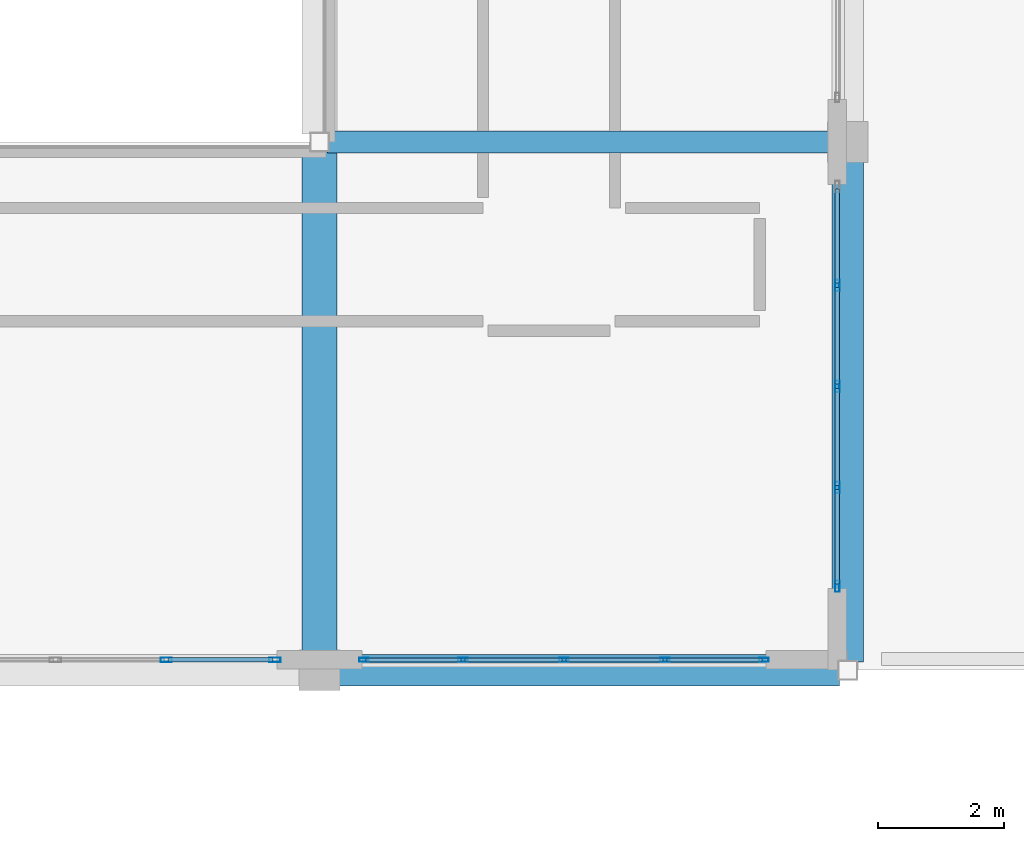
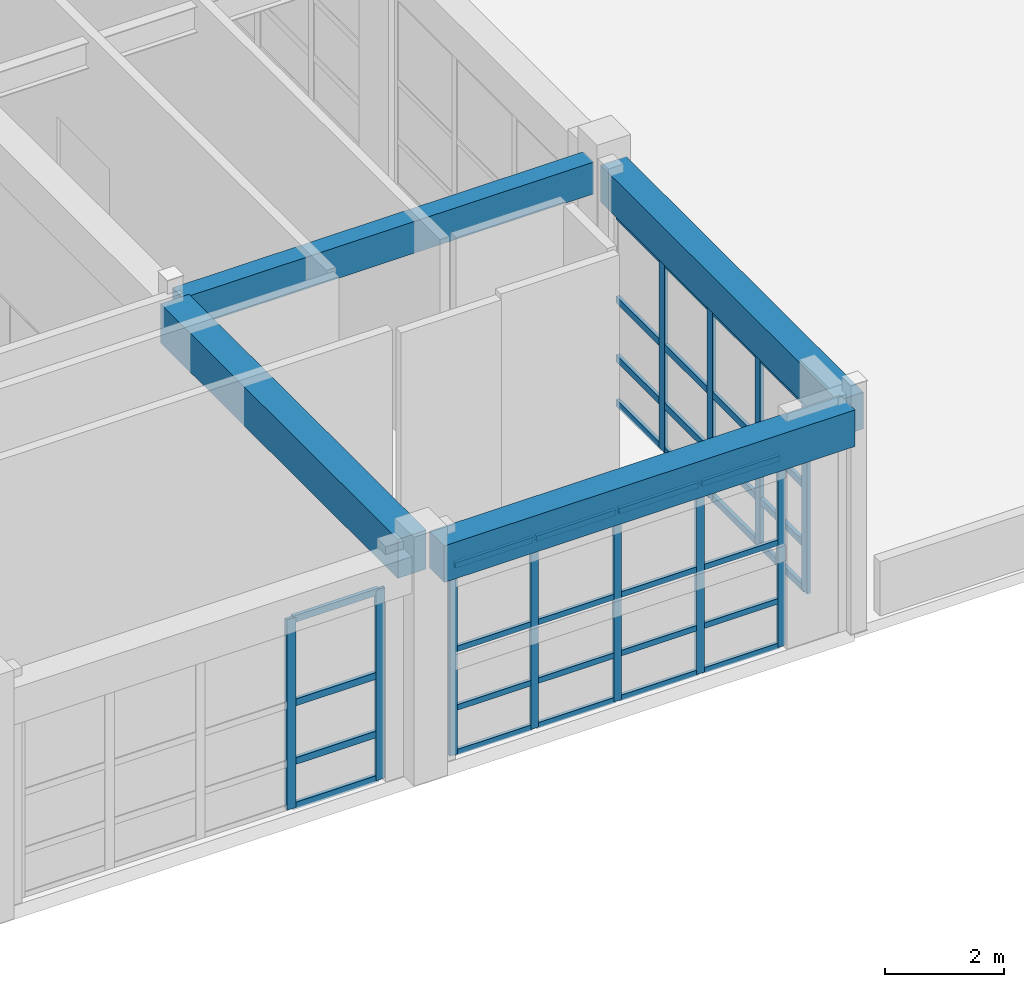
# One storey, part 39 of 78: 47 members, 4 beams, 3 elements without a shape of their own.
"""IFC4 building model written with IfcOpenShell, lengths in metres."""

from ifc_helpers import new_model, si_unit, direction, frame, origin, origin_2d, place, context, subcontext, project, spatial, rectangle, hollow_rectangle, extrude, material, layer, layer_set, material_profile, profile_set, type_object, element, aggregate, save


model = new_model("IFC4")

# Units and contexts
model_context = context("Model", 3, precision=1e-05, world=origin(), true_north=direction((0.0, 1.0)))
body_context = subcontext(model_context, "Body", "Model", "MODEL_VIEW")
ifc_project = project(units=[si_unit("LENGTHUNIT", "METRE"), si_unit("AREAUNIT", "SQUARE_METRE"), si_unit("VOLUMEUNIT", "CUBIC_METRE"), si_unit("PLANEANGLEUNIT", "RADIAN"), si_unit("MASSUNIT", "GRAM", prefix="KILO")], contexts=[model_context])

# Site, building, storey
site_placement = place(None, origin())
site = spatial("IfcSite", under=ifc_project, at=site_placement, CompositionType="ELEMENT")
building_placement = place(site_placement, origin())
building = spatial("IfcBuilding", under=site, at=building_placement, Name="Quendrovan Civic Courthouse", CompositionType="ELEMENT")
storey_placement = place(building_placement, frame((0.0, 0.0, 10.199951171875)))
storey = spatial("IfcBuildingStorey", under=building, at=storey_placement, Name="L03", CompositionType="ELEMENT", Elevation=10.199951171875)

# Beams
ifc_material_1 = material(Name="Concrete C40/50", Category="concrete")
ifc_material_profile_1 = material_profile(ifc_material_1, rectangle(XDim=0.35009765625, YDim=0.64990234375, at=origin_2d()), Name="RC-BM-350x650")
ifc_profile_set_1 = profile_set([ifc_material_profile_1], Name="Concrete C40/50")
beam_type_1 = type_object("IfcBeamType", Name="BM-RC650B", PredefinedType="BEAM", material=ifc_profile_set_1)
beam_1_placement = place(storey_placement, frame((84.1298828125, 73.199951171875, 4.3349609375), z_axis=(1.0, 0.0, 0.0), x_axis=(0.0, 1.0, 0.0)))
element("IfcBeam", 1, at=beam_1_placement, inside=storey, type_object=beam_type_1, Name="L03 Girder X0755", PredefinedType="BEAM", context=body_context, shape_type="SweptSolid", body=[
    extrude(rectangle(XDim=0.35009765625, YDim=0.64990234375, at=origin_2d()), origin(), (0.0, 0.0, 1.0), 7.965087890625),
])
ifc_material_profile_2 = material_profile(ifc_material_1, rectangle(XDim=0.5, YDim=0.75, at=origin_2d()), Name="RC-BM-500x750")
ifc_profile_set_2 = profile_set([ifc_material_profile_2], Name="Concrete C40/50")
beam_type_2 = type_object("IfcBeamType", Name="BM-RC750", PredefinedType="SPANDREL", material=ifc_profile_set_2)
for number, where, z_axis, x_axis, name in (
    (2, (84.304931640625, 64.800048828125, 4.28515625), (1.0, 0.0, 0.0), (0.0, 1.0, 0.0), "L03 Girder X0751"),
    (3, (92.39990234375, 64.929931640625, 4.28515625), (0.0, 1.0, 0.0), (-1.0, 0.0, 0.0), "L03 Girder Y0855"),
):
    element("IfcBeam", number, at=place(storey_placement, frame(where, z_axis=z_axis, x_axis=x_axis)), inside=storey, type_object=beam_type_2, Name=name, PredefinedType="SPANDREL", context=body_context, shape_type="SweptSolid", body=[
        extrude(rectangle(XDim=0.5, YDim=0.75, at=origin_2d()), origin(), (0.0, 0.0, 1.0), 7.965087890625),
    ])
ifc_material_profile_3 = material_profile(ifc_material_1, rectangle(XDim=0.550048828125, YDim=0.800048828125, at=origin_2d()), Name="RC-BM-550x800")
ifc_profile_set_3 = profile_set([ifc_material_profile_3], Name="Concrete C40/50")
beam_type_3 = type_object("IfcBeamType", Name="BM-RC800", PredefinedType="BEAM", material=ifc_profile_set_3)
beam_2_placement = place(storey_placement, frame((84.0, 65.10498046875, 4.260009765625), z_axis=(0.0, 1.0, 0.0), x_axis=(-1.0, 0.0, 0.0)))
element("IfcBeam", 4, at=beam_2_placement, inside=storey, type_object=beam_type_3, Name="L03 Girder Y0850", PredefinedType="BEAM", context=body_context, shape_type="SweptSolid", body=[
    extrude(rectangle(XDim=0.550048828125, YDim=0.800048828125, at=origin_2d()), origin(), (0.0, 0.0, 1.0), 7.965087890625),
])

# Curtain wall, members
ifc_material_2 = material(Name="Bronze anodised aluminium and low-E glass", Category="aluminium")
ifc_layer_1 = layer(ifc_material_2, 0.179931640625, Name="Bronze anodised aluminium and low-E glass")
ifc_layer_set_1 = layer_set([ifc_layer_1], Name="Bronze anodised aluminium and low-E glass")
curtain_wall_type_1 = type_object("IfcCurtainWallType", Name="CW-U64x39", PredefinedType="USERDEFINED", material=ifc_layer_set_1)
curtain_wall_1_placement = place(storey_placement, origin())
curtain_wall_1 = element("IfcCurtainWall", 5, at=curtain_wall_1_placement, inside=storey, type_object=curtain_wall_type_1, Name="L03 Unitised Hurricane Curtain Wall CW-130", ObjectType="UNITISED CURTAIN WALL", PredefinedType="USERDEFINED")
ifc_material_3 = material(Name="Bronze anodised aluminium", Category="aluminium")
ifc_material_profile_4 = material_profile(ifc_material_3, hollow_rectangle(XDim=0.070068359375, YDim=0.179931640625, WallThickness=0.00390625, at=origin_2d()), Name="CW-MULL-70x180")
ifc_profile_set_4 = profile_set([ifc_material_profile_4], Name="Bronze anodised aluminium")
member_type_1 = type_object("IfcMemberType", Name="CW-MULL-A", PredefinedType="MULLION", material=ifc_profile_set_4)
member_1_placement = place(storey_placement, frame((92.235107421875, 70.918701171875, 0.0), z_axis=(0.0, 0.0, 1.0), x_axis=(1.0, 0.0, 0.0)))
member_1 = element("IfcMember", 6, at=member_1_placement, type_object=member_type_1, Name="CW-130 mullion 2", PredefinedType="MULLION", context=body_context, shape_type="SweptSolid", body=[
    extrude(hollow_rectangle(XDim=0.070068359375, YDim=0.179931640625, WallThickness=0.00390625, at=origin_2d()), origin(), (0.0, 0.0, 1.0), 3.900146484375),
])
member_2_placement = place(storey_placement, frame((92.235107421875, 69.3125, 0.0), z_axis=(0.0, 0.0, 1.0), x_axis=(1.0, 0.0, 0.0)))
member_2 = element("IfcMember", 7, at=member_2_placement, type_object=member_type_1, Name="CW-130 mullion 3", PredefinedType="MULLION", context=body_context, shape_type="SweptSolid", body=[
    extrude(hollow_rectangle(XDim=0.070068359375, YDim=0.179931640625, WallThickness=0.00390625, at=origin_2d()), origin(), (0.0, 0.0, 1.0), 3.900146484375),
])
member_3_placement = place(storey_placement, frame((92.235107421875, 67.706298828125, 0.0), z_axis=(0.0, 0.0, 1.0), x_axis=(1.0, 0.0, 0.0)))
member_3 = element("IfcMember", 8, at=member_3_placement, type_object=member_type_1, Name="CW-130 mullion 4", PredefinedType="MULLION", context=body_context, shape_type="SweptSolid", body=[
    extrude(hollow_rectangle(XDim=0.070068359375, YDim=0.179931640625, WallThickness=0.00390625, at=origin_2d()), origin(), (0.0, 0.0, 1.0), 3.900146484375),
])
member_4_placement = place(storey_placement, frame((92.235107421875, 66.135009765625, 0.0), z_axis=(0.0, 0.0, 1.0), x_axis=(1.0, 0.0, 0.0)))
member_4 = element("IfcMember", 9, at=member_4_placement, type_object=member_type_1, Name="CW-130 mullion 5", PredefinedType="MULLION", context=body_context, shape_type="SweptSolid", body=[
    extrude(hollow_rectangle(XDim=0.070068359375, YDim=0.179931640625, WallThickness=0.00390625, at=origin_2d()), origin(), (0.0, 0.0, 1.0), 3.900146484375),
])

ifc_layer_2 = layer(ifc_material_2, 0.179931640625, Name="Bronze anodised aluminium and low-E glass")
ifc_layer_set_2 = layer_set([ifc_layer_2], Name="Bronze anodised aluminium and low-E glass")
curtain_wall_type_2 = type_object("IfcCurtainWallType", Name="CW-U70x39", PredefinedType="USERDEFINED", material=ifc_layer_set_2)
curtain_wall_2_placement = place(storey_placement, origin())
curtain_wall_2 = element("IfcCurtainWall", 10, at=curtain_wall_2_placement, inside=storey, type_object=curtain_wall_type_2, Name="L03 Unitised Hurricane Curtain Wall CW-132", ObjectType="UNITISED CURTAIN WALL", PredefinedType="USERDEFINED")
member_5_placement = place(storey_placement, frame((83.2900390625, 64.965087890625, 0.0), z_axis=(0.0, 0.0, 1.0), x_axis=(0.0, -1.0, 0.0)))
member_5 = element("IfcMember", 11, at=member_5_placement, type_object=member_type_1, Name="CW-132 mullion 1", PredefinedType="MULLION", context=body_context, shape_type="SweptSolid", body=[
    extrude(hollow_rectangle(XDim=0.070068359375, YDim=0.179931640625, WallThickness=0.00390625, at=origin_2d()), origin(), (0.0, 0.0, 1.0), 3.900146484375),
])
member_6_placement = place(storey_placement, frame((81.5625, 64.965087890625, 0.0), z_axis=(0.0, 0.0, 1.0), x_axis=(0.0, -1.0, 0.0)))
member_6 = element("IfcMember", 12, at=member_6_placement, type_object=member_type_1, Name="CW-132 mullion 2", PredefinedType="MULLION", context=body_context, shape_type="SweptSolid", body=[
    extrude(hollow_rectangle(XDim=0.070068359375, YDim=0.179931640625, WallThickness=0.00390625, at=origin_2d()), origin(), (0.0, 0.0, 1.0), 3.900146484375),
])

curtain_wall_3_placement = place(storey_placement, origin())
curtain_wall_3 = element("IfcCurtainWall", 13, at=curtain_wall_3_placement, inside=storey, type_object=curtain_wall_type_1, Name="L03 Unitised Hurricane Curtain Wall CW-131", ObjectType="UNITISED CURTAIN WALL", PredefinedType="USERDEFINED")
ifc_material_profile_5 = material_profile(ifc_material_3, hollow_rectangle(XDim=0.06494140625, YDim=0.14990234375, WallThickness=0.00390625, at=origin_2d()), Name="CW-MULL-65x150")
ifc_profile_set_5 = profile_set([ifc_material_profile_5], Name="Bronze anodised aluminium")
member_type_2 = type_object("IfcMemberType", Name="CW-MULL-B", PredefinedType="MULLION", material=ifc_profile_set_5)
member_7_placement = place(storey_placement, frame((91.0673828125, 64.965087890625, 0.0), z_axis=(0.0, 0.0, 1.0), x_axis=(0.0, -1.0, 0.0)))
member_7 = element("IfcMember", 14, at=member_7_placement, type_object=member_type_2, Name="CW-131 mullion 1", PredefinedType="MULLION", context=body_context, shape_type="SweptSolid", body=[
    extrude(hollow_rectangle(XDim=0.06494140625, YDim=0.14990234375, WallThickness=0.00390625, at=origin_2d()), origin(), (0.0, 0.0, 1.0), 3.900146484375),
])
member_8_placement = place(storey_placement, frame((89.49365234375, 64.965087890625, 0.0), z_axis=(0.0, 0.0, 1.0), x_axis=(0.0, -1.0, 0.0)))
member_8 = element("IfcMember", 15, at=member_8_placement, type_object=member_type_2, Name="CW-131 mullion 2", PredefinedType="MULLION", context=body_context, shape_type="SweptSolid", body=[
    extrude(hollow_rectangle(XDim=0.06494140625, YDim=0.14990234375, WallThickness=0.00390625, at=origin_2d()), origin(), (0.0, 0.0, 1.0), 3.900146484375),
])
member_9_placement = place(storey_placement, frame((87.887451171875, 64.965087890625, 0.0), z_axis=(0.0, 0.0, 1.0), x_axis=(0.0, -1.0, 0.0)))
member_9 = element("IfcMember", 16, at=member_9_placement, type_object=member_type_2, Name="CW-131 mullion 3", PredefinedType="MULLION", context=body_context, shape_type="SweptSolid", body=[
    extrude(hollow_rectangle(XDim=0.06494140625, YDim=0.14990234375, WallThickness=0.00390625, at=origin_2d()), origin(), (0.0, 0.0, 1.0), 3.900146484375),
])
member_10_placement = place(storey_placement, frame((86.28125, 64.965087890625, 0.0), z_axis=(0.0, 0.0, 1.0), x_axis=(0.0, -1.0, 0.0)))
member_10 = element("IfcMember", 17, at=member_10_placement, type_object=member_type_2, Name="CW-131 mullion 4", PredefinedType="MULLION", context=body_context, shape_type="SweptSolid", body=[
    extrude(hollow_rectangle(XDim=0.06494140625, YDim=0.14990234375, WallThickness=0.00390625, at=origin_2d()), origin(), (0.0, 0.0, 1.0), 3.900146484375),
])
member_11_placement = place(storey_placement, frame((84.70751953125, 64.965087890625, 0.0), z_axis=(0.0, 0.0, 1.0), x_axis=(0.0, -1.0, 0.0)))
member_11 = element("IfcMember", 18, at=member_11_placement, type_object=member_type_2, Name="CW-131 mullion 5", PredefinedType="MULLION", context=body_context, shape_type="SweptSolid", body=[
    extrude(hollow_rectangle(XDim=0.06494140625, YDim=0.14990234375, WallThickness=0.00390625, at=origin_2d()), origin(), (0.0, 0.0, 1.0), 3.900146484375),
])

# Member
ifc_material_profile_6 = material_profile(ifc_material_3, hollow_rectangle(XDim=0.070068359375, YDim=0.139892578125, WallThickness=0.00390625, at=origin_2d()), Name="CW-TRAN-70x140")
ifc_profile_set_6 = profile_set([ifc_material_profile_6], Name="Bronze anodised aluminium")
member_type_3 = type_object("IfcMemberType", Name="CW-TRAN-A", PredefinedType="USERDEFINED", material=ifc_profile_set_6)
member_12_placement = place(storey_placement, frame((92.235107421875, 72.455078125, 0.03515625), z_axis=(0.0, -1.0, 0.0), x_axis=(1.0, 0.0, 0.0)))
member_12 = element("IfcMember", 19, at=member_12_placement, type_object=member_type_3, Name="CW-130 transom 1.1", ObjectType="TRANSOM", PredefinedType="USERDEFINED", context=body_context, shape_type="SweptSolid", body=[
    extrude(hollow_rectangle(XDim=0.070068359375, YDim=0.139892578125, WallThickness=0.00390625, at=origin_2d()), origin(), (0.0, 0.0, 1.0), 1.501220703125),
])

member_13_placement = place(storey_placement, frame((92.235107421875, 72.455078125, 0.949951171875), z_axis=(0.0, -1.0, 0.0), x_axis=(1.0, 0.0, 0.0)))
member_13 = element("IfcMember", 20, at=member_13_placement, type_object=member_type_3, Name="CW-130 transom 1.2", ObjectType="TRANSOM", PredefinedType="USERDEFINED", context=body_context, shape_type="SweptSolid", body=[
    extrude(hollow_rectangle(XDim=0.070068359375, YDim=0.139892578125, WallThickness=0.00390625, at=origin_2d()), origin(), (0.0, 0.0, 1.0), 1.501220703125),
])

member_14_placement = place(storey_placement, frame((92.235107421875, 72.455078125, 2.150146484375), z_axis=(0.0, -1.0, 0.0), x_axis=(1.0, 0.0, 0.0)))
member_14 = element("IfcMember", 21, at=member_14_placement, type_object=member_type_3, Name="CW-130 transom 1.3", ObjectType="TRANSOM", PredefinedType="USERDEFINED", context=body_context, shape_type="SweptSolid", body=[
    extrude(hollow_rectangle(XDim=0.070068359375, YDim=0.139892578125, WallThickness=0.00390625, at=origin_2d()), origin(), (0.0, 0.0, 1.0), 1.501220703125),
])

member_15_placement = place(storey_placement, frame((92.235107421875, 72.455078125, 3.864990234375), z_axis=(0.0, -1.0, 0.0), x_axis=(1.0, 0.0, 0.0)))
member_15 = element("IfcMember", 22, at=member_15_placement, type_object=member_type_3, Name="CW-130 transom 1.4", ObjectType="TRANSOM", PredefinedType="USERDEFINED", context=body_context, shape_type="SweptSolid", body=[
    extrude(hollow_rectangle(XDim=0.070068359375, YDim=0.139892578125, WallThickness=0.00390625, at=origin_2d()), origin(), (0.0, 0.0, 1.0), 1.501220703125),
])

member_16_placement = place(storey_placement, frame((92.235107421875, 70.8837890625, 0.03515625), z_axis=(0.0, -1.0, 0.0), x_axis=(1.0, 0.0, 0.0)))
member_16 = element("IfcMember", 23, at=member_16_placement, type_object=member_type_3, Name="CW-130 transom 2.1", ObjectType="TRANSOM", PredefinedType="USERDEFINED", context=body_context, shape_type="SweptSolid", body=[
    extrude(hollow_rectangle(XDim=0.070068359375, YDim=0.139892578125, WallThickness=0.00390625, at=origin_2d()), origin(), (0.0, 0.0, 1.0), 1.536376953125),
])

member_17_placement = place(storey_placement, frame((92.235107421875, 70.8837890625, 0.949951171875), z_axis=(0.0, -1.0, 0.0), x_axis=(1.0, 0.0, 0.0)))
member_17 = element("IfcMember", 24, at=member_17_placement, type_object=member_type_3, Name="CW-130 transom 2.2", ObjectType="TRANSOM", PredefinedType="USERDEFINED", context=body_context, shape_type="SweptSolid", body=[
    extrude(hollow_rectangle(XDim=0.070068359375, YDim=0.139892578125, WallThickness=0.00390625, at=origin_2d()), origin(), (0.0, 0.0, 1.0), 1.536376953125),
])

member_18_placement = place(storey_placement, frame((92.235107421875, 70.8837890625, 2.150146484375), z_axis=(0.0, -1.0, 0.0), x_axis=(1.0, 0.0, 0.0)))
member_18 = element("IfcMember", 25, at=member_18_placement, type_object=member_type_3, Name="CW-130 transom 2.3", ObjectType="TRANSOM", PredefinedType="USERDEFINED", context=body_context, shape_type="SweptSolid", body=[
    extrude(hollow_rectangle(XDim=0.070068359375, YDim=0.139892578125, WallThickness=0.00390625, at=origin_2d()), origin(), (0.0, 0.0, 1.0), 1.536376953125),
])

member_19_placement = place(storey_placement, frame((92.235107421875, 70.8837890625, 3.864990234375), z_axis=(0.0, -1.0, 0.0), x_axis=(1.0, 0.0, 0.0)))
member_19 = element("IfcMember", 26, at=member_19_placement, type_object=member_type_3, Name="CW-130 transom 2.4", ObjectType="TRANSOM", PredefinedType="USERDEFINED", context=body_context, shape_type="SweptSolid", body=[
    extrude(hollow_rectangle(XDim=0.070068359375, YDim=0.139892578125, WallThickness=0.00390625, at=origin_2d()), origin(), (0.0, 0.0, 1.0), 1.536376953125),
])

member_20_placement = place(storey_placement, frame((92.235107421875, 69.277587890625, 0.03515625), z_axis=(0.0, -1.0, 0.0), x_axis=(1.0, 0.0, 0.0)))
member_20 = element("IfcMember", 27, at=member_20_placement, type_object=member_type_3, Name="CW-130 transom 3.1", ObjectType="TRANSOM", PredefinedType="USERDEFINED", context=body_context, shape_type="SweptSolid", body=[
    extrude(hollow_rectangle(XDim=0.070068359375, YDim=0.139892578125, WallThickness=0.00390625, at=origin_2d()), origin(), (0.0, 0.0, 1.0), 1.536376953125),
])

member_21_placement = place(storey_placement, frame((92.235107421875, 69.277587890625, 0.949951171875), z_axis=(0.0, -1.0, 0.0), x_axis=(1.0, 0.0, 0.0)))
member_21 = element("IfcMember", 28, at=member_21_placement, type_object=member_type_3, Name="CW-130 transom 3.2", ObjectType="TRANSOM", PredefinedType="USERDEFINED", context=body_context, shape_type="SweptSolid", body=[
    extrude(hollow_rectangle(XDim=0.070068359375, YDim=0.139892578125, WallThickness=0.00390625, at=origin_2d()), origin(), (0.0, 0.0, 1.0), 1.536376953125),
])

member_22_placement = place(storey_placement, frame((92.235107421875, 69.277587890625, 2.150146484375), z_axis=(0.0, -1.0, 0.0), x_axis=(1.0, 0.0, 0.0)))
member_22 = element("IfcMember", 29, at=member_22_placement, type_object=member_type_3, Name="CW-130 transom 3.3", ObjectType="TRANSOM", PredefinedType="USERDEFINED", context=body_context, shape_type="SweptSolid", body=[
    extrude(hollow_rectangle(XDim=0.070068359375, YDim=0.139892578125, WallThickness=0.00390625, at=origin_2d()), origin(), (0.0, 0.0, 1.0), 1.536376953125),
])

member_23_placement = place(storey_placement, frame((92.235107421875, 69.277587890625, 3.864990234375), z_axis=(0.0, -1.0, 0.0), x_axis=(1.0, 0.0, 0.0)))
member_23 = element("IfcMember", 30, at=member_23_placement, type_object=member_type_3, Name="CW-130 transom 3.4", ObjectType="TRANSOM", PredefinedType="USERDEFINED", context=body_context, shape_type="SweptSolid", body=[
    extrude(hollow_rectangle(XDim=0.070068359375, YDim=0.139892578125, WallThickness=0.00390625, at=origin_2d()), origin(), (0.0, 0.0, 1.0), 1.536376953125),
])

member_24_placement = place(storey_placement, frame((92.235107421875, 67.671142578125, 0.03515625), z_axis=(0.0, -1.0, 0.0), x_axis=(1.0, 0.0, 0.0)))
member_24 = element("IfcMember", 31, at=member_24_placement, type_object=member_type_3, Name="CW-130 transom 4.1", ObjectType="TRANSOM", PredefinedType="USERDEFINED", context=body_context, shape_type="SweptSolid", body=[
    extrude(hollow_rectangle(XDim=0.070068359375, YDim=0.139892578125, WallThickness=0.00390625, at=origin_2d()), origin(), (0.0, 0.0, 1.0), 1.501220703125),
])

member_25_placement = place(storey_placement, frame((92.235107421875, 67.671142578125, 0.949951171875), z_axis=(0.0, -1.0, 0.0), x_axis=(1.0, 0.0, 0.0)))
member_25 = element("IfcMember", 32, at=member_25_placement, type_object=member_type_3, Name="CW-130 transom 4.2", ObjectType="TRANSOM", PredefinedType="USERDEFINED", context=body_context, shape_type="SweptSolid", body=[
    extrude(hollow_rectangle(XDim=0.070068359375, YDim=0.139892578125, WallThickness=0.00390625, at=origin_2d()), origin(), (0.0, 0.0, 1.0), 1.501220703125),
])

member_26_placement = place(storey_placement, frame((92.235107421875, 67.671142578125, 2.150146484375), z_axis=(0.0, -1.0, 0.0), x_axis=(1.0, 0.0, 0.0)))
member_26 = element("IfcMember", 33, at=member_26_placement, type_object=member_type_3, Name="CW-130 transom 4.3", ObjectType="TRANSOM", PredefinedType="USERDEFINED", context=body_context, shape_type="SweptSolid", body=[
    extrude(hollow_rectangle(XDim=0.070068359375, YDim=0.139892578125, WallThickness=0.00390625, at=origin_2d()), origin(), (0.0, 0.0, 1.0), 1.501220703125),
])

member_27_placement = place(storey_placement, frame((92.235107421875, 67.671142578125, 3.864990234375), z_axis=(0.0, -1.0, 0.0), x_axis=(1.0, 0.0, 0.0)))
member_27 = element("IfcMember", 34, at=member_27_placement, type_object=member_type_3, Name="CW-130 transom 4.4", ObjectType="TRANSOM", PredefinedType="USERDEFINED", context=body_context, shape_type="SweptSolid", body=[
    extrude(hollow_rectangle(XDim=0.070068359375, YDim=0.139892578125, WallThickness=0.00390625, at=origin_2d()), origin(), (0.0, 0.0, 1.0), 1.501220703125),
])

aggregate(curtain_wall_1, [member_1, member_2, member_3, member_4, member_12, member_13, member_14, member_15, member_16, member_17, member_18, member_19, member_20, member_21, member_22, member_23, member_24, member_25, member_26, member_27])

member_28_placement = place(storey_placement, frame((83.2548828125, 64.965087890625, 0.03515625), z_axis=(-1.0, 0.0, 0.0), x_axis=(0.0, -1.0, 0.0)))
member_28 = element("IfcMember", 35, at=member_28_placement, type_object=member_type_3, Name="CW-132 transom 1.1", ObjectType="TRANSOM", PredefinedType="USERDEFINED", context=body_context, shape_type="SweptSolid", body=[
    extrude(hollow_rectangle(XDim=0.070068359375, YDim=0.139892578125, WallThickness=0.00390625, at=origin_2d()), origin(), (0.0, 0.0, 1.0), 1.657470703125),
])

member_29_placement = place(storey_placement, frame((83.2548828125, 64.965087890625, 0.949951171875), z_axis=(-1.0, 0.0, 0.0), x_axis=(0.0, -1.0, 0.0)))
member_29 = element("IfcMember", 36, at=member_29_placement, type_object=member_type_3, Name="CW-132 transom 1.2", ObjectType="TRANSOM", PredefinedType="USERDEFINED", context=body_context, shape_type="SweptSolid", body=[
    extrude(hollow_rectangle(XDim=0.070068359375, YDim=0.139892578125, WallThickness=0.00390625, at=origin_2d()), origin(), (0.0, 0.0, 1.0), 1.657470703125),
])

member_30_placement = place(storey_placement, frame((83.2548828125, 64.965087890625, 2.150146484375), z_axis=(-1.0, 0.0, 0.0), x_axis=(0.0, -1.0, 0.0)))
member_30 = element("IfcMember", 37, at=member_30_placement, type_object=member_type_3, Name="CW-132 transom 1.3", ObjectType="TRANSOM", PredefinedType="USERDEFINED", context=body_context, shape_type="SweptSolid", body=[
    extrude(hollow_rectangle(XDim=0.070068359375, YDim=0.139892578125, WallThickness=0.00390625, at=origin_2d()), origin(), (0.0, 0.0, 1.0), 1.657470703125),
])

member_31_placement = place(storey_placement, frame((83.2548828125, 64.965087890625, 3.864990234375), z_axis=(-1.0, 0.0, 0.0), x_axis=(0.0, -1.0, 0.0)))
member_31 = element("IfcMember", 38, at=member_31_placement, type_object=member_type_3, Name="CW-132 transom 1.4", ObjectType="TRANSOM", PredefinedType="USERDEFINED", context=body_context, shape_type="SweptSolid", body=[
    extrude(hollow_rectangle(XDim=0.070068359375, YDim=0.139892578125, WallThickness=0.00390625, at=origin_2d()), origin(), (0.0, 0.0, 1.0), 1.657470703125),
])

aggregate(curtain_wall_2, [member_5, member_6, member_28, member_29, member_30, member_31])

ifc_material_profile_7 = material_profile(ifc_material_3, hollow_rectangle(XDim=0.06494140625, YDim=0.114990234375, WallThickness=0.00390625, at=origin_2d()), Name="CW-TRAN-65x115")
ifc_profile_set_7 = profile_set([ifc_material_profile_7], Name="Bronze anodised aluminium")
member_type_4 = type_object("IfcMemberType", Name="CW-TRAN-B", PredefinedType="USERDEFINED", material=ifc_profile_set_7)
member_32_placement = place(storey_placement, frame((91.034912109375, 64.965087890625, 0.032470703125), z_axis=(-1.0, 0.0, 0.0), x_axis=(0.0, -1.0, 0.0)))
member_32 = element("IfcMember", 39, at=member_32_placement, type_object=member_type_4, Name="CW-131 transom 1.1", ObjectType="TRANSOM", PredefinedType="USERDEFINED", context=body_context, shape_type="SweptSolid", body=[
    extrude(hollow_rectangle(XDim=0.06494140625, YDim=0.114990234375, WallThickness=0.00390625, at=origin_2d()), origin(), (0.0, 0.0, 1.0), 1.508544921875),
])

member_33_placement = place(storey_placement, frame((91.034912109375, 64.965087890625, 0.949951171875), z_axis=(-1.0, 0.0, 0.0), x_axis=(0.0, -1.0, 0.0)))
member_33 = element("IfcMember", 40, at=member_33_placement, type_object=member_type_4, Name="CW-131 transom 1.2", ObjectType="TRANSOM", PredefinedType="USERDEFINED", context=body_context, shape_type="SweptSolid", body=[
    extrude(hollow_rectangle(XDim=0.06494140625, YDim=0.114990234375, WallThickness=0.00390625, at=origin_2d()), origin(), (0.0, 0.0, 1.0), 1.508544921875),
])

member_34_placement = place(storey_placement, frame((91.034912109375, 64.965087890625, 2.150146484375), z_axis=(-1.0, 0.0, 0.0), x_axis=(0.0, -1.0, 0.0)))
member_34 = element("IfcMember", 41, at=member_34_placement, type_object=member_type_4, Name="CW-131 transom 1.3", ObjectType="TRANSOM", PredefinedType="USERDEFINED", context=body_context, shape_type="SweptSolid", body=[
    extrude(hollow_rectangle(XDim=0.06494140625, YDim=0.114990234375, WallThickness=0.00390625, at=origin_2d()), origin(), (0.0, 0.0, 1.0), 1.508544921875),
])

member_35_placement = place(storey_placement, frame((91.034912109375, 64.965087890625, 3.867431640625), z_axis=(-1.0, 0.0, 0.0), x_axis=(0.0, -1.0, 0.0)))
member_35 = element("IfcMember", 42, at=member_35_placement, type_object=member_type_4, Name="CW-131 transom 1.4", ObjectType="TRANSOM", PredefinedType="USERDEFINED", context=body_context, shape_type="SweptSolid", body=[
    extrude(hollow_rectangle(XDim=0.06494140625, YDim=0.114990234375, WallThickness=0.00390625, at=origin_2d()), origin(), (0.0, 0.0, 1.0), 1.508544921875),
])

member_36_placement = place(storey_placement, frame((89.461181640625, 64.965087890625, 0.032470703125), z_axis=(-1.0, 0.0, 0.0), x_axis=(0.0, -1.0, 0.0)))
member_36 = element("IfcMember", 43, at=member_36_placement, type_object=member_type_4, Name="CW-131 transom 2.1", ObjectType="TRANSOM", PredefinedType="USERDEFINED", context=body_context, shape_type="SweptSolid", body=[
    extrude(hollow_rectangle(XDim=0.06494140625, YDim=0.114990234375, WallThickness=0.00390625, at=origin_2d()), origin(), (0.0, 0.0, 1.0), 1.541259765625),
])

member_37_placement = place(storey_placement, frame((89.461181640625, 64.965087890625, 0.949951171875), z_axis=(-1.0, 0.0, 0.0), x_axis=(0.0, -1.0, 0.0)))
member_37 = element("IfcMember", 44, at=member_37_placement, type_object=member_type_4, Name="CW-131 transom 2.2", ObjectType="TRANSOM", PredefinedType="USERDEFINED", context=body_context, shape_type="SweptSolid", body=[
    extrude(hollow_rectangle(XDim=0.06494140625, YDim=0.114990234375, WallThickness=0.00390625, at=origin_2d()), origin(), (0.0, 0.0, 1.0), 1.541259765625),
])

member_38_placement = place(storey_placement, frame((89.461181640625, 64.965087890625, 2.150146484375), z_axis=(-1.0, 0.0, 0.0), x_axis=(0.0, -1.0, 0.0)))
member_38 = element("IfcMember", 45, at=member_38_placement, type_object=member_type_4, Name="CW-131 transom 2.3", ObjectType="TRANSOM", PredefinedType="USERDEFINED", context=body_context, shape_type="SweptSolid", body=[
    extrude(hollow_rectangle(XDim=0.06494140625, YDim=0.114990234375, WallThickness=0.00390625, at=origin_2d()), origin(), (0.0, 0.0, 1.0), 1.541259765625),
])

member_39_placement = place(storey_placement, frame((89.461181640625, 64.965087890625, 3.867431640625), z_axis=(-1.0, 0.0, 0.0), x_axis=(0.0, -1.0, 0.0)))
member_39 = element("IfcMember", 46, at=member_39_placement, type_object=member_type_4, Name="CW-131 transom 2.4", ObjectType="TRANSOM", PredefinedType="USERDEFINED", context=body_context, shape_type="SweptSolid", body=[
    extrude(hollow_rectangle(XDim=0.06494140625, YDim=0.114990234375, WallThickness=0.00390625, at=origin_2d()), origin(), (0.0, 0.0, 1.0), 1.541259765625),
])

member_40_placement = place(storey_placement, frame((87.85498046875, 64.965087890625, 0.032470703125), z_axis=(-1.0, 0.0, 0.0), x_axis=(0.0, -1.0, 0.0)))
member_40 = element("IfcMember", 47, at=member_40_placement, type_object=member_type_4, Name="CW-131 transom 3.1", ObjectType="TRANSOM", PredefinedType="USERDEFINED", context=body_context, shape_type="SweptSolid", body=[
    extrude(hollow_rectangle(XDim=0.06494140625, YDim=0.114990234375, WallThickness=0.00390625, at=origin_2d()), origin(), (0.0, 0.0, 1.0), 1.541259765625),
])

member_41_placement = place(storey_placement, frame((87.85498046875, 64.965087890625, 0.949951171875), z_axis=(-1.0, 0.0, 0.0), x_axis=(0.0, -1.0, 0.0)))
member_41 = element("IfcMember", 48, at=member_41_placement, type_object=member_type_4, Name="CW-131 transom 3.2", ObjectType="TRANSOM", PredefinedType="USERDEFINED", context=body_context, shape_type="SweptSolid", body=[
    extrude(hollow_rectangle(XDim=0.06494140625, YDim=0.114990234375, WallThickness=0.00390625, at=origin_2d()), origin(), (0.0, 0.0, 1.0), 1.541259765625),
])

member_42_placement = place(storey_placement, frame((87.85498046875, 64.965087890625, 2.150146484375), z_axis=(-1.0, 0.0, 0.0), x_axis=(0.0, -1.0, 0.0)))
member_42 = element("IfcMember", 49, at=member_42_placement, type_object=member_type_4, Name="CW-131 transom 3.3", ObjectType="TRANSOM", PredefinedType="USERDEFINED", context=body_context, shape_type="SweptSolid", body=[
    extrude(hollow_rectangle(XDim=0.06494140625, YDim=0.114990234375, WallThickness=0.00390625, at=origin_2d()), origin(), (0.0, 0.0, 1.0), 1.541259765625),
])

member_43_placement = place(storey_placement, frame((87.85498046875, 64.965087890625, 3.867431640625), z_axis=(-1.0, 0.0, 0.0), x_axis=(0.0, -1.0, 0.0)))
member_43 = element("IfcMember", 50, at=member_43_placement, type_object=member_type_4, Name="CW-131 transom 3.4", ObjectType="TRANSOM", PredefinedType="USERDEFINED", context=body_context, shape_type="SweptSolid", body=[
    extrude(hollow_rectangle(XDim=0.06494140625, YDim=0.114990234375, WallThickness=0.00390625, at=origin_2d()), origin(), (0.0, 0.0, 1.0), 1.541259765625),
])

member_44_placement = place(storey_placement, frame((86.248779296875, 64.965087890625, 0.032470703125), z_axis=(-1.0, 0.0, 0.0), x_axis=(0.0, -1.0, 0.0)))
member_44 = element("IfcMember", 51, at=member_44_placement, type_object=member_type_4, Name="CW-131 transom 4.1", ObjectType="TRANSOM", PredefinedType="USERDEFINED", context=body_context, shape_type="SweptSolid", body=[
    extrude(hollow_rectangle(XDim=0.06494140625, YDim=0.114990234375, WallThickness=0.00390625, at=origin_2d()), origin(), (0.0, 0.0, 1.0), 1.5087890625),
])

member_45_placement = place(storey_placement, frame((86.248779296875, 64.965087890625, 0.949951171875), z_axis=(-1.0, 0.0, 0.0), x_axis=(0.0, -1.0, 0.0)))
member_45 = element("IfcMember", 52, at=member_45_placement, type_object=member_type_4, Name="CW-131 transom 4.2", ObjectType="TRANSOM", PredefinedType="USERDEFINED", context=body_context, shape_type="SweptSolid", body=[
    extrude(hollow_rectangle(XDim=0.06494140625, YDim=0.114990234375, WallThickness=0.00390625, at=origin_2d()), origin(), (0.0, 0.0, 1.0), 1.5087890625),
])

member_46_placement = place(storey_placement, frame((86.248779296875, 64.965087890625, 2.150146484375), z_axis=(-1.0, 0.0, 0.0), x_axis=(0.0, -1.0, 0.0)))
member_46 = element("IfcMember", 53, at=member_46_placement, type_object=member_type_4, Name="CW-131 transom 4.3", ObjectType="TRANSOM", PredefinedType="USERDEFINED", context=body_context, shape_type="SweptSolid", body=[
    extrude(hollow_rectangle(XDim=0.06494140625, YDim=0.114990234375, WallThickness=0.00390625, at=origin_2d()), origin(), (0.0, 0.0, 1.0), 1.5087890625),
])

member_47_placement = place(storey_placement, frame((86.248779296875, 64.965087890625, 3.867431640625), z_axis=(-1.0, 0.0, 0.0), x_axis=(0.0, -1.0, 0.0)))
member_47 = element("IfcMember", 54, at=member_47_placement, type_object=member_type_4, Name="CW-131 transom 4.4", ObjectType="TRANSOM", PredefinedType="USERDEFINED", context=body_context, shape_type="SweptSolid", body=[
    extrude(hollow_rectangle(XDim=0.06494140625, YDim=0.114990234375, WallThickness=0.00390625, at=origin_2d()), origin(), (0.0, 0.0, 1.0), 1.5087890625),
])

aggregate(curtain_wall_3, [member_7, member_8, member_9, member_10, member_11, member_32, member_33, member_34, member_35, member_36, member_37, member_38, member_39, member_40, member_41, member_42, member_43, member_44, member_45, member_46, member_47])

save(model, "model.ifc")
